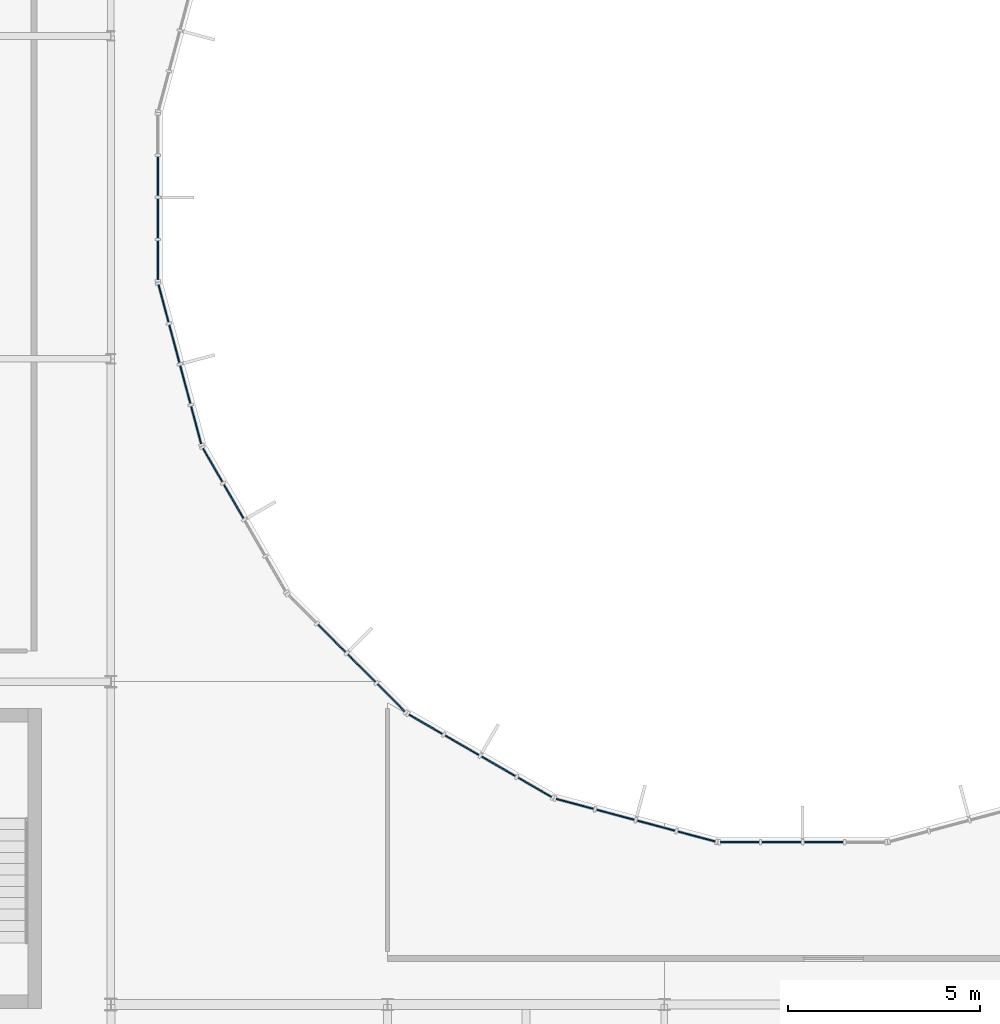
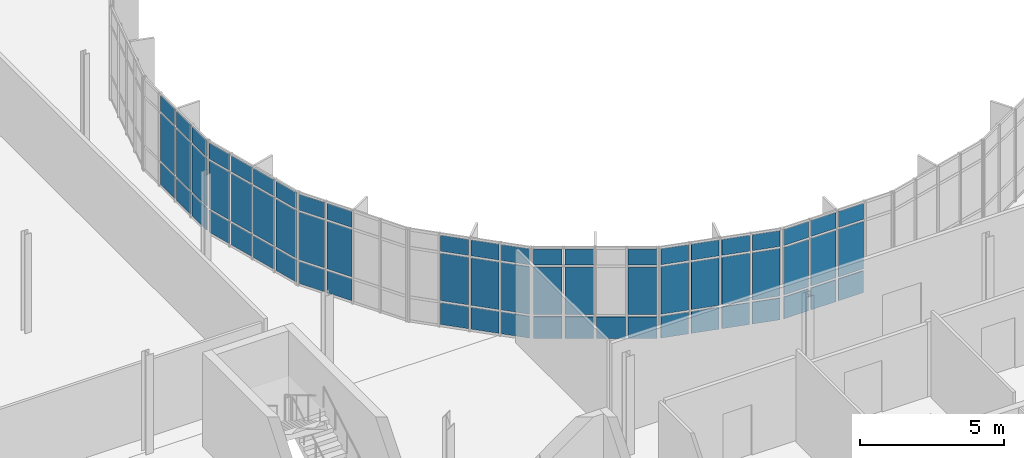
# One storey, part 31 of 61: 67 plates, 7 elements without a shape of their own.
"""IFC4 building model written with IfcOpenShell, lengths in metres."""

from ifc_helpers import new_model, si_unit, direction, frame, origin, origin_2d, place, context, subcontext, project, spatial, rectangle, extrude, material, layer, layer_set, type_object, element, aggregate, save


model = new_model("IFC4")

# Units and contexts
model_context = context("Model", 3, precision=1e-05, world=origin(), true_north=direction((0.0, 1.0)))
body_context = subcontext(model_context, "Body", "Model", "MODEL_VIEW")
ifc_project = project(units=[si_unit("LENGTHUNIT", "METRE"), si_unit("AREAUNIT", "SQUARE_METRE"), si_unit("VOLUMEUNIT", "CUBIC_METRE"), si_unit("PLANEANGLEUNIT", "RADIAN"), si_unit("MASSUNIT", "GRAM", prefix="KILO")], contexts=[model_context])

# Site, building, storey
site_placement = place(None, origin())
site = spatial("IfcSite", under=ifc_project, at=site_placement, CompositionType="ELEMENT")
building_placement = place(site_placement, origin())
building = spatial("IfcBuilding", under=site, at=building_placement, Name="Qelthora Terrace Specialist Clinic", CompositionType="ELEMENT")
storey_placement = place(building_placement, frame((0.0, 0.0, 13.199951171875)))
storey = spatial("IfcBuildingStorey", under=building, at=storey_placement, Name="L03", CompositionType="ELEMENT", Elevation=13.199951171875)

# Curtain wall, plates
ifc_material_1 = material(Name="Aluminium anodized bronze", Category="aluminium")
curtain_wall_type = type_object("IfcCurtainWallType", Name="CW-CRTE-UPP", PredefinedType="NOTDEFINED", material=ifc_material_1)
curtain_wall_1_placement = place(storey_placement, origin())
curtain_wall_1 = element("IfcCurtainWall", 1, at=curtain_wall_1_placement, inside=storey, type_object=curtain_wall_type, Name="Curtain wall CW-CE-L03-12", PredefinedType="NOTDEFINED")
ifc_material_2 = material(Name="Low-E triple-silver insulating glass", Category="glass")
ifc_layer = layer(ifc_material_2, 0.035888671875)
ifc_layer_set = layer_set([ifc_layer], Name="Low-E triple-silver insulating glass")
plate_type = type_object("IfcPlateType", Name="CWP-IGU-36", PredefinedType="CURTAIN_PANEL", material=ifc_layer_set)
plate_1_placement = place(storey_placement, frame((109.2236328125, 63.548095703125, 0.085205078125), z_axis=(0.0, 0.0, 1.0), x_axis=(0.0, -1.0, 0.0)))
plate_1 = element("IfcPlate", 2, at=plate_1_placement, type_object=plate_type, Name="CW-CE-L03-12 glazed panel 4", PredefinedType="CURTAIN_PANEL", context=body_context, shape_type="SweptSolid", body=[
    extrude(rectangle(XDim=0.996337890625, YDim=0.035888671875, at=origin_2d()), origin(), (0.0, 0.0, 1.0), 0.919921875),
])
plate_2_placement = place(storey_placement, frame((109.2236328125, 63.548095703125, 1.09521484375), z_axis=(0.0, 0.0, 1.0), x_axis=(0.0, -1.0, 0.0)))
plate_2 = element("IfcPlate", 3, at=plate_2_placement, type_object=plate_type, Name="CW-CE-L03-12 glazed panel 5", PredefinedType="CURTAIN_PANEL", context=body_context, shape_type="SweptSolid", body=[
    extrude(rectangle(XDim=0.996337890625, YDim=0.035888671875, at=origin_2d()), origin(), (0.0, 0.0, 1.0), 2.0048828125),
])
plate_3_placement = place(storey_placement, frame((109.2236328125, 63.548095703125, 3.190185546875), z_axis=(0.0, 0.0, 1.0), x_axis=(0.0, -1.0, 0.0)))
plate_3 = element("IfcPlate", 4, at=plate_3_placement, type_object=plate_type, Name="CW-CE-L03-12 glazed panel 6", PredefinedType="CURTAIN_PANEL", context=body_context, shape_type="SweptSolid", body=[
    extrude(rectangle(XDim=0.996337890625, YDim=0.035888671875, at=origin_2d()), origin(), (0.0, 0.0, 1.0), 0.669921875),
])
plate_4_placement = place(storey_placement, frame((109.2236328125, 62.451904296875, 0.085205078125), z_axis=(0.0, 0.0, 1.0), x_axis=(0.0, -1.0, 0.0)))
plate_4 = element("IfcPlate", 5, at=plate_4_placement, type_object=plate_type, Name="CW-CE-L03-12 glazed panel 7", PredefinedType="CURTAIN_PANEL", context=body_context, shape_type="SweptSolid", body=[
    extrude(rectangle(XDim=0.996337890625, YDim=0.035888671875, at=origin_2d()), origin(), (0.0, 0.0, 1.0), 0.919921875),
])
plate_5_placement = place(storey_placement, frame((109.2236328125, 62.451904296875, 1.09521484375), z_axis=(0.0, 0.0, 1.0), x_axis=(0.0, -1.0, 0.0)))
plate_5 = element("IfcPlate", 6, at=plate_5_placement, type_object=plate_type, Name="CW-CE-L03-12 glazed panel 8", PredefinedType="CURTAIN_PANEL", context=body_context, shape_type="SweptSolid", body=[
    extrude(rectangle(XDim=0.996337890625, YDim=0.035888671875, at=origin_2d()), origin(), (0.0, 0.0, 1.0), 2.0048828125),
])
plate_6_placement = place(storey_placement, frame((109.2236328125, 62.451904296875, 3.190185546875), z_axis=(0.0, 0.0, 1.0), x_axis=(0.0, -1.0, 0.0)))
plate_6 = element("IfcPlate", 7, at=plate_6_placement, type_object=plate_type, Name="CW-CE-L03-12 glazed panel 9", PredefinedType="CURTAIN_PANEL", context=body_context, shape_type="SweptSolid", body=[
    extrude(rectangle(XDim=0.996337890625, YDim=0.035888671875, at=origin_2d()), origin(), (0.0, 0.0, 1.0), 0.669921875),
])
plate_7_placement = place(storey_placement, frame((109.2236328125, 61.35546875, 0.085205078125), z_axis=(0.0, 0.0, 1.0), x_axis=(0.0, -1.0, 0.0)))
plate_7 = element("IfcPlate", 8, at=plate_7_placement, type_object=plate_type, Name="CW-CE-L03-12 glazed panel 10", PredefinedType="CURTAIN_PANEL", context=body_context, shape_type="SweptSolid", body=[
    extrude(rectangle(XDim=0.996337890625, YDim=0.035888671875, at=origin_2d()), origin(), (0.0, 0.0, 1.0), 0.919921875),
])
plate_8_placement = place(storey_placement, frame((109.2236328125, 61.35546875, 1.09521484375), z_axis=(0.0, 0.0, 1.0), x_axis=(0.0, -1.0, 0.0)))
plate_8 = element("IfcPlate", 9, at=plate_8_placement, type_object=plate_type, Name="CW-CE-L03-12 glazed panel 11", PredefinedType="CURTAIN_PANEL", context=body_context, shape_type="SweptSolid", body=[
    extrude(rectangle(XDim=0.996337890625, YDim=0.035888671875, at=origin_2d()), origin(), (0.0, 0.0, 1.0), 2.0048828125),
])
plate_9_placement = place(storey_placement, frame((109.2236328125, 61.35546875, 3.190185546875), z_axis=(0.0, 0.0, 1.0), x_axis=(0.0, -1.0, 0.0)))
plate_9 = element("IfcPlate", 10, at=plate_9_placement, type_object=plate_type, Name="CW-CE-L03-12 glazed panel 12", PredefinedType="CURTAIN_PANEL", context=body_context, shape_type="SweptSolid", body=[
    extrude(rectangle(XDim=0.996337890625, YDim=0.035888671875, at=origin_2d()), origin(), (0.0, 0.0, 1.0), 0.669921875),
])
aggregate(curtain_wall_1, [plate_1, plate_2, plate_3, plate_4, plate_5, plate_6, plate_7, plate_8, plate_9])

curtain_wall_2_placement = place(storey_placement, origin())
curtain_wall_2 = element("IfcCurtainWall", 11, at=curtain_wall_2_placement, inside=storey, type_object=curtain_wall_type, Name="Curtain wall CW-CE-L03-13", PredefinedType="NOTDEFINED")
plate_10_placement = place(storey_placement, frame((109.36962890625, 60.24658203125, 0.085205078125), z_axis=(0.0, 0.0, 1.0), x_axis=(0.258819045103, -0.965925826289, 0.0)))
plate_10 = element("IfcPlate", 12, at=plate_10_placement, type_object=plate_type, Name="CW-CE-L03-13 glazed panel 1", PredefinedType="CURTAIN_PANEL", context=body_context, shape_type="SweptSolid", body=[
    extrude(rectangle(XDim=0.996337890625, YDim=0.035888671875, at=origin_2d()), origin(), (0.0, 0.0, 1.0), 0.919921875),
])
plate_11_placement = place(storey_placement, frame((109.36962890625, 60.24658203125, 1.09521484375), z_axis=(0.0, 0.0, 1.0), x_axis=(0.258819045103, -0.965925826289, 0.0)))
plate_11 = element("IfcPlate", 13, at=plate_11_placement, type_object=plate_type, Name="CW-CE-L03-13 glazed panel 2", PredefinedType="CURTAIN_PANEL", context=body_context, shape_type="SweptSolid", body=[
    extrude(rectangle(XDim=0.996337890625, YDim=0.035888671875, at=origin_2d()), origin(), (0.0, 0.0, 1.0), 2.0048828125),
])
plate_12_placement = place(storey_placement, frame((109.36962890625, 60.24658203125, 3.190185546875), z_axis=(0.0, 0.0, 1.0), x_axis=(0.258819045103, -0.965925826289, 0.0)))
plate_12 = element("IfcPlate", 14, at=plate_12_placement, type_object=plate_type, Name="CW-CE-L03-13 glazed panel 3", PredefinedType="CURTAIN_PANEL", context=body_context, shape_type="SweptSolid", body=[
    extrude(rectangle(XDim=0.996337890625, YDim=0.035888671875, at=origin_2d()), origin(), (0.0, 0.0, 1.0), 0.669921875),
])
plate_13_placement = place(storey_placement, frame((109.653564453125, 59.1875, 0.085205078125), z_axis=(0.0, 0.0, 1.0), x_axis=(0.258819045103, -0.965925826289, 0.0)))
plate_13 = element("IfcPlate", 15, at=plate_13_placement, type_object=plate_type, Name="CW-CE-L03-13 glazed panel 4", PredefinedType="CURTAIN_PANEL", context=body_context, shape_type="SweptSolid", body=[
    extrude(rectangle(XDim=0.996337890625, YDim=0.035888671875, at=origin_2d()), origin(), (0.0, 0.0, 1.0), 0.919921875),
])
plate_14_placement = place(storey_placement, frame((109.653564453125, 59.1875, 1.09521484375), z_axis=(0.0, 0.0, 1.0), x_axis=(0.258819045103, -0.965925826289, 0.0)))
plate_14 = element("IfcPlate", 16, at=plate_14_placement, type_object=plate_type, Name="CW-CE-L03-13 glazed panel 5", PredefinedType="CURTAIN_PANEL", context=body_context, shape_type="SweptSolid", body=[
    extrude(rectangle(XDim=0.996337890625, YDim=0.035888671875, at=origin_2d()), origin(), (0.0, 0.0, 1.0), 2.0048828125),
])
plate_15_placement = place(storey_placement, frame((109.653564453125, 59.1875, 3.190185546875), z_axis=(0.0, 0.0, 1.0), x_axis=(0.258819045103, -0.965925826289, 0.0)))
plate_15 = element("IfcPlate", 17, at=plate_15_placement, type_object=plate_type, Name="CW-CE-L03-13 glazed panel 6", PredefinedType="CURTAIN_PANEL", context=body_context, shape_type="SweptSolid", body=[
    extrude(rectangle(XDim=0.996337890625, YDim=0.035888671875, at=origin_2d()), origin(), (0.0, 0.0, 1.0), 0.669921875),
])
plate_16_placement = place(storey_placement, frame((109.937255859375, 58.12841796875, 0.085205078125), z_axis=(0.0, 0.0, 1.0), x_axis=(0.258819045103, -0.965925826289, 0.0)))
plate_16 = element("IfcPlate", 18, at=plate_16_placement, type_object=plate_type, Name="CW-CE-L03-13 glazed panel 7", PredefinedType="CURTAIN_PANEL", context=body_context, shape_type="SweptSolid", body=[
    extrude(rectangle(XDim=0.996337890625, YDim=0.035888671875, at=origin_2d()), origin(), (0.0, 0.0, 1.0), 0.919921875),
])
plate_17_placement = place(storey_placement, frame((109.937255859375, 58.12841796875, 1.09521484375), z_axis=(0.0, 0.0, 1.0), x_axis=(0.258819045103, -0.965925826289, 0.0)))
plate_17 = element("IfcPlate", 19, at=plate_17_placement, type_object=plate_type, Name="CW-CE-L03-13 glazed panel 8", PredefinedType="CURTAIN_PANEL", context=body_context, shape_type="SweptSolid", body=[
    extrude(rectangle(XDim=0.996337890625, YDim=0.035888671875, at=origin_2d()), origin(), (0.0, 0.0, 1.0), 2.0048828125),
])
plate_18_placement = place(storey_placement, frame((109.937255859375, 58.12841796875, 3.190185546875), z_axis=(0.0, 0.0, 1.0), x_axis=(0.258819045103, -0.965925826289, 0.0)))
plate_18 = element("IfcPlate", 20, at=plate_18_placement, type_object=plate_type, Name="CW-CE-L03-13 glazed panel 9", PredefinedType="CURTAIN_PANEL", context=body_context, shape_type="SweptSolid", body=[
    extrude(rectangle(XDim=0.996337890625, YDim=0.035888671875, at=origin_2d()), origin(), (0.0, 0.0, 1.0), 0.669921875),
])
plate_19_placement = place(storey_placement, frame((110.220947265625, 57.0693359375, 0.085205078125), z_axis=(0.0, 0.0, 1.0), x_axis=(0.258819045103, -0.965925826289, 0.0)))
plate_19 = element("IfcPlate", 21, at=plate_19_placement, type_object=plate_type, Name="CW-CE-L03-13 glazed panel 10", PredefinedType="CURTAIN_PANEL", context=body_context, shape_type="SweptSolid", body=[
    extrude(rectangle(XDim=0.996337890625, YDim=0.035888671875, at=origin_2d()), origin(), (0.0, 0.0, 1.0), 0.919921875),
])
plate_20_placement = place(storey_placement, frame((110.220947265625, 57.0693359375, 1.09521484375), z_axis=(0.0, 0.0, 1.0), x_axis=(0.258819045103, -0.965925826289, 0.0)))
plate_20 = element("IfcPlate", 22, at=plate_20_placement, type_object=plate_type, Name="CW-CE-L03-13 glazed panel 11", PredefinedType="CURTAIN_PANEL", context=body_context, shape_type="SweptSolid", body=[
    extrude(rectangle(XDim=0.996337890625, YDim=0.035888671875, at=origin_2d()), origin(), (0.0, 0.0, 1.0), 2.0048828125),
])
plate_21_placement = place(storey_placement, frame((110.220947265625, 57.0693359375, 3.190185546875), z_axis=(0.0, 0.0, 1.0), x_axis=(0.258819045103, -0.965925826289, 0.0)))
plate_21 = element("IfcPlate", 23, at=plate_21_placement, type_object=plate_type, Name="CW-CE-L03-13 glazed panel 12", PredefinedType="CURTAIN_PANEL", context=body_context, shape_type="SweptSolid", body=[
    extrude(rectangle(XDim=0.996337890625, YDim=0.035888671875, at=origin_2d()), origin(), (0.0, 0.0, 1.0), 0.669921875),
])
aggregate(curtain_wall_2, [plate_10, plate_11, plate_12, plate_13, plate_14, plate_15, plate_16, plate_17, plate_18, plate_19, plate_20, plate_21])

curtain_wall_3_placement = place(storey_placement, origin())
curtain_wall_3 = element("IfcCurtainWall", 24, at=curtain_wall_3_placement, inside=storey, type_object=curtain_wall_type, Name="Curtain wall CW-CE-L03-14", PredefinedType="NOTDEFINED")
plate_22_placement = place(storey_placement, frame((110.64892578125, 56.0361328125, 0.085205078125), z_axis=(0.0, 0.0, 1.0), x_axis=(0.5, -0.866025403784, 0.0)))
plate_22 = element("IfcPlate", 25, at=plate_22_placement, type_object=plate_type, Name="CW-CE-L03-14 glazed panel 1", PredefinedType="CURTAIN_PANEL", context=body_context, shape_type="SweptSolid", body=[
    extrude(rectangle(XDim=0.996337890625, YDim=0.035888671875, at=origin_2d()), origin(), (0.0, 0.0, 1.0), 0.919921875),
])
plate_23_placement = place(storey_placement, frame((110.64892578125, 56.0361328125, 1.09521484375), z_axis=(0.0, 0.0, 1.0), x_axis=(0.5, -0.866025403784, 0.0)))
plate_23 = element("IfcPlate", 26, at=plate_23_placement, type_object=plate_type, Name="CW-CE-L03-14 glazed panel 2", PredefinedType="CURTAIN_PANEL", context=body_context, shape_type="SweptSolid", body=[
    extrude(rectangle(XDim=0.996337890625, YDim=0.035888671875, at=origin_2d()), origin(), (0.0, 0.0, 1.0), 2.0048828125),
])
plate_24_placement = place(storey_placement, frame((110.64892578125, 56.0361328125, 3.190185546875), z_axis=(0.0, 0.0, 1.0), x_axis=(0.5, -0.866025403784, 0.0)))
plate_24 = element("IfcPlate", 27, at=plate_24_placement, type_object=plate_type, Name="CW-CE-L03-14 glazed panel 3", PredefinedType="CURTAIN_PANEL", context=body_context, shape_type="SweptSolid", body=[
    extrude(rectangle(XDim=0.996337890625, YDim=0.035888671875, at=origin_2d()), origin(), (0.0, 0.0, 1.0), 0.669921875),
])
plate_25_placement = place(storey_placement, frame((111.197265625, 55.086669921875, 0.085205078125), z_axis=(0.0, 0.0, 1.0), x_axis=(0.5, -0.866025403784, 0.0)))
plate_25 = element("IfcPlate", 28, at=plate_25_placement, type_object=plate_type, Name="CW-CE-L03-14 glazed panel 4", PredefinedType="CURTAIN_PANEL", context=body_context, shape_type="SweptSolid", body=[
    extrude(rectangle(XDim=0.996337890625, YDim=0.035888671875, at=origin_2d()), origin(), (0.0, 0.0, 1.0), 0.919921875),
])
plate_26_placement = place(storey_placement, frame((111.197265625, 55.086669921875, 1.09521484375), z_axis=(0.0, 0.0, 1.0), x_axis=(0.5, -0.866025403784, 0.0)))
plate_26 = element("IfcPlate", 29, at=plate_26_placement, type_object=plate_type, Name="CW-CE-L03-14 glazed panel 5", PredefinedType="CURTAIN_PANEL", context=body_context, shape_type="SweptSolid", body=[
    extrude(rectangle(XDim=0.996337890625, YDim=0.035888671875, at=origin_2d()), origin(), (0.0, 0.0, 1.0), 2.0048828125),
])
plate_27_placement = place(storey_placement, frame((111.197265625, 55.086669921875, 3.190185546875), z_axis=(0.0, 0.0, 1.0), x_axis=(0.5, -0.866025403784, 0.0)))
plate_27 = element("IfcPlate", 30, at=plate_27_placement, type_object=plate_type, Name="CW-CE-L03-14 glazed panel 6", PredefinedType="CURTAIN_PANEL", context=body_context, shape_type="SweptSolid", body=[
    extrude(rectangle(XDim=0.996337890625, YDim=0.035888671875, at=origin_2d()), origin(), (0.0, 0.0, 1.0), 0.669921875),
])
aggregate(curtain_wall_3, [plate_22, plate_23, plate_24, plate_25, plate_26, plate_27])

curtain_wall_4_placement = place(storey_placement, origin())
curtain_wall_4 = element("IfcCurtainWall", 31, at=curtain_wall_4_placement, inside=storey, type_object=curtain_wall_type, Name="Curtain wall CW-CE-L03-15", PredefinedType="NOTDEFINED")
plate_28_placement = place(storey_placement, frame((113.749755859375, 51.525146484375, 0.085205078125), z_axis=(0.0, 0.0, 1.0), x_axis=(0.707106781187, -0.707106781187, 0.0)))
plate_28 = element("IfcPlate", 32, at=plate_28_placement, type_object=plate_type, Name="CW-CE-L03-15 glazed panel 4", PredefinedType="CURTAIN_PANEL", context=body_context, shape_type="SweptSolid", body=[
    extrude(rectangle(XDim=0.996337890625, YDim=0.035888671875, at=origin_2d()), origin(), (0.0, 0.0, 1.0), 0.919921875),
])
plate_29_placement = place(storey_placement, frame((113.749755859375, 51.525146484375, 1.09521484375), z_axis=(0.0, 0.0, 1.0), x_axis=(0.707106781187, -0.707106781187, 0.0)))
plate_29 = element("IfcPlate", 33, at=plate_29_placement, type_object=plate_type, Name="CW-CE-L03-15 glazed panel 5", PredefinedType="CURTAIN_PANEL", context=body_context, shape_type="SweptSolid", body=[
    extrude(rectangle(XDim=0.996337890625, YDim=0.035888671875, at=origin_2d()), origin(), (0.0, 0.0, 1.0), 2.0048828125),
])
plate_30_placement = place(storey_placement, frame((113.749755859375, 51.525146484375, 3.190185546875), z_axis=(0.0, 0.0, 1.0), x_axis=(0.707106781187, -0.707106781187, 0.0)))
plate_30 = element("IfcPlate", 34, at=plate_30_placement, type_object=plate_type, Name="CW-CE-L03-15 glazed panel 6", PredefinedType="CURTAIN_PANEL", context=body_context, shape_type="SweptSolid", body=[
    extrude(rectangle(XDim=0.996337890625, YDim=0.035888671875, at=origin_2d()), origin(), (0.0, 0.0, 1.0), 0.669921875),
])
plate_31_placement = place(storey_placement, frame((114.525146484375, 50.749755859375, 0.085205078125), z_axis=(0.0, 0.0, 1.0), x_axis=(0.707106781187, -0.707106781187, 0.0)))
plate_31 = element("IfcPlate", 35, at=plate_31_placement, type_object=plate_type, Name="CW-CE-L03-15 glazed panel 7", PredefinedType="CURTAIN_PANEL", context=body_context, shape_type="SweptSolid", body=[
    extrude(rectangle(XDim=0.996337890625, YDim=0.035888671875, at=origin_2d()), origin(), (0.0, 0.0, 1.0), 0.919921875),
])
plate_32_placement = place(storey_placement, frame((114.525146484375, 50.749755859375, 1.09521484375), z_axis=(0.0, 0.0, 1.0), x_axis=(0.707106781187, -0.707106781187, 0.0)))
plate_32 = element("IfcPlate", 36, at=plate_32_placement, type_object=plate_type, Name="CW-CE-L03-15 glazed panel 8", PredefinedType="CURTAIN_PANEL", context=body_context, shape_type="SweptSolid", body=[
    extrude(rectangle(XDim=0.996337890625, YDim=0.035888671875, at=origin_2d()), origin(), (0.0, 0.0, 1.0), 2.0048828125),
])
plate_33_placement = place(storey_placement, frame((114.525146484375, 50.749755859375, 3.190185546875), z_axis=(0.0, 0.0, 1.0), x_axis=(0.707106781187, -0.707106781187, 0.0)))
plate_33 = element("IfcPlate", 37, at=plate_33_placement, type_object=plate_type, Name="CW-CE-L03-15 glazed panel 9", PredefinedType="CURTAIN_PANEL", context=body_context, shape_type="SweptSolid", body=[
    extrude(rectangle(XDim=0.996337890625, YDim=0.035888671875, at=origin_2d()), origin(), (0.0, 0.0, 1.0), 0.669921875),
])
plate_34_placement = place(storey_placement, frame((115.30029296875, 49.974365234375, 0.085205078125), z_axis=(0.0, 0.0, 1.0), x_axis=(0.707106781187, -0.707106781187, 0.0)))
plate_34 = element("IfcPlate", 38, at=plate_34_placement, type_object=plate_type, Name="CW-CE-L03-15 glazed panel 10", PredefinedType="CURTAIN_PANEL", context=body_context, shape_type="SweptSolid", body=[
    extrude(rectangle(XDim=0.996337890625, YDim=0.035888671875, at=origin_2d()), origin(), (0.0, 0.0, 1.0), 0.919921875),
])
plate_35_placement = place(storey_placement, frame((115.30029296875, 49.974365234375, 1.09521484375), z_axis=(0.0, 0.0, 1.0), x_axis=(0.707106781187, -0.707106781187, 0.0)))
plate_35 = element("IfcPlate", 39, at=plate_35_placement, type_object=plate_type, Name="CW-CE-L03-15 glazed panel 11", PredefinedType="CURTAIN_PANEL", context=body_context, shape_type="SweptSolid", body=[
    extrude(rectangle(XDim=0.996337890625, YDim=0.035888671875, at=origin_2d()), origin(), (0.0, 0.0, 1.0), 2.0048828125),
])
plate_36_placement = place(storey_placement, frame((115.30029296875, 49.974365234375, 3.190185546875), z_axis=(0.0, 0.0, 1.0), x_axis=(0.707106781187, -0.707106781187, 0.0)))
plate_36 = element("IfcPlate", 40, at=plate_36_placement, type_object=plate_type, Name="CW-CE-L03-15 glazed panel 12", PredefinedType="CURTAIN_PANEL", context=body_context, shape_type="SweptSolid", body=[
    extrude(rectangle(XDim=0.996337890625, YDim=0.035888671875, at=origin_2d()), origin(), (0.0, 0.0, 1.0), 0.669921875),
])
aggregate(curtain_wall_4, [plate_28, plate_29, plate_30, plate_31, plate_32, plate_33, plate_34, plate_35, plate_36])

curtain_wall_5_placement = place(storey_placement, origin())
curtain_wall_5 = element("IfcCurtainWall", 41, at=curtain_wall_5_placement, inside=storey, type_object=curtain_wall_type, Name="Curtain wall CW-CE-L03-16", PredefinedType="NOTDEFINED")
plate_37_placement = place(storey_placement, frame((116.1875, 49.293701171875, 0.085205078125), z_axis=(0.0, 0.0, 1.0), x_axis=(0.866025403784, -0.5, 0.0)))
plate_37 = element("IfcPlate", 42, at=plate_37_placement, type_object=plate_type, Name="CW-CE-L03-16 glazed panel 1", PredefinedType="CURTAIN_PANEL", context=body_context, shape_type="SweptSolid", body=[
    extrude(rectangle(XDim=0.996337890625, YDim=0.035888671875, at=origin_2d()), origin(), (0.0, 0.0, 1.0), 0.919921875),
])
plate_38_placement = place(storey_placement, frame((116.1875, 49.293701171875, 1.09521484375), z_axis=(0.0, 0.0, 1.0), x_axis=(0.866025403784, -0.5, 0.0)))
plate_38 = element("IfcPlate", 43, at=plate_38_placement, type_object=plate_type, Name="CW-CE-L03-16 glazed panel 2", PredefinedType="CURTAIN_PANEL", context=body_context, shape_type="SweptSolid", body=[
    extrude(rectangle(XDim=0.996337890625, YDim=0.035888671875, at=origin_2d()), origin(), (0.0, 0.0, 1.0), 2.0048828125),
])
plate_39_placement = place(storey_placement, frame((116.1875, 49.293701171875, 3.190185546875), z_axis=(0.0, 0.0, 1.0), x_axis=(0.866025403784, -0.5, 0.0)))
plate_39 = element("IfcPlate", 44, at=plate_39_placement, type_object=plate_type, Name="CW-CE-L03-16 glazed panel 3", PredefinedType="CURTAIN_PANEL", context=body_context, shape_type="SweptSolid", body=[
    extrude(rectangle(XDim=0.996337890625, YDim=0.035888671875, at=origin_2d()), origin(), (0.0, 0.0, 1.0), 0.669921875),
])
plate_40_placement = place(storey_placement, frame((117.13720703125, 48.745361328125, 0.085205078125), z_axis=(0.0, 0.0, 1.0), x_axis=(0.866025403784, -0.5, 0.0)))
plate_40 = element("IfcPlate", 45, at=plate_40_placement, type_object=plate_type, Name="CW-CE-L03-16 glazed panel 4", PredefinedType="CURTAIN_PANEL", context=body_context, shape_type="SweptSolid", body=[
    extrude(rectangle(XDim=0.996337890625, YDim=0.035888671875, at=origin_2d()), origin(), (0.0, 0.0, 1.0), 0.919921875),
])
plate_41_placement = place(storey_placement, frame((117.13720703125, 48.745361328125, 1.09521484375), z_axis=(0.0, 0.0, 1.0), x_axis=(0.866025403784, -0.5, 0.0)))
plate_41 = element("IfcPlate", 46, at=plate_41_placement, type_object=plate_type, Name="CW-CE-L03-16 glazed panel 5", PredefinedType="CURTAIN_PANEL", context=body_context, shape_type="SweptSolid", body=[
    extrude(rectangle(XDim=0.996337890625, YDim=0.035888671875, at=origin_2d()), origin(), (0.0, 0.0, 1.0), 2.0048828125),
])
plate_42_placement = place(storey_placement, frame((117.13720703125, 48.745361328125, 3.190185546875), z_axis=(0.0, 0.0, 1.0), x_axis=(0.866025403784, -0.5, 0.0)))
plate_42 = element("IfcPlate", 47, at=plate_42_placement, type_object=plate_type, Name="CW-CE-L03-16 glazed panel 6", PredefinedType="CURTAIN_PANEL", context=body_context, shape_type="SweptSolid", body=[
    extrude(rectangle(XDim=0.996337890625, YDim=0.035888671875, at=origin_2d()), origin(), (0.0, 0.0, 1.0), 0.669921875),
])
plate_43_placement = place(storey_placement, frame((118.086669921875, 48.197265625, 0.085205078125), z_axis=(0.0, 0.0, 1.0), x_axis=(0.866025403784, -0.5, 0.0)))
plate_43 = element("IfcPlate", 48, at=plate_43_placement, type_object=plate_type, Name="CW-CE-L03-16 glazed panel 7", PredefinedType="CURTAIN_PANEL", context=body_context, shape_type="SweptSolid", body=[
    extrude(rectangle(XDim=0.996337890625, YDim=0.035888671875, at=origin_2d()), origin(), (0.0, 0.0, 1.0), 0.919921875),
])
plate_44_placement = place(storey_placement, frame((119.0361328125, 47.64892578125, 0.085205078125), z_axis=(0.0, 0.0, 1.0), x_axis=(0.866025403784, -0.5, 0.0)))
plate_44 = element("IfcPlate", 49, at=plate_44_placement, type_object=plate_type, Name="CW-CE-L03-16 glazed panel 10", PredefinedType="CURTAIN_PANEL", context=body_context, shape_type="SweptSolid", body=[
    extrude(rectangle(XDim=0.996337890625, YDim=0.035888671875, at=origin_2d()), origin(), (0.0, 0.0, 1.0), 0.919921875),
])
plate_45_placement = place(storey_placement, frame((119.0361328125, 47.64892578125, 1.09521484375), z_axis=(0.0, 0.0, 1.0), x_axis=(0.866025403784, -0.5, 0.0)))
plate_45 = element("IfcPlate", 50, at=plate_45_placement, type_object=plate_type, Name="CW-CE-L03-16 glazed panel 11", PredefinedType="CURTAIN_PANEL", context=body_context, shape_type="SweptSolid", body=[
    extrude(rectangle(XDim=0.996337890625, YDim=0.035888671875, at=origin_2d()), origin(), (0.0, 0.0, 1.0), 2.0048828125),
])
plate_46_placement = place(storey_placement, frame((119.0361328125, 47.64892578125, 3.190185546875), z_axis=(0.0, 0.0, 1.0), x_axis=(0.866025403784, -0.5, 0.0)))
plate_46 = element("IfcPlate", 51, at=plate_46_placement, type_object=plate_type, Name="CW-CE-L03-16 glazed panel 12", PredefinedType="CURTAIN_PANEL", context=body_context, shape_type="SweptSolid", body=[
    extrude(rectangle(XDim=0.996337890625, YDim=0.035888671875, at=origin_2d()), origin(), (0.0, 0.0, 1.0), 0.669921875),
])
aggregate(curtain_wall_5, [plate_37, plate_38, plate_39, plate_40, plate_41, plate_42, plate_43, plate_44, plate_45, plate_46])

curtain_wall_6_placement = place(storey_placement, origin())
curtain_wall_6 = element("IfcCurtainWall", 52, at=curtain_wall_6_placement, inside=storey, type_object=curtain_wall_type, Name="Curtain wall CW-CE-L03-17", PredefinedType="NOTDEFINED")
plate_47_placement = place(storey_placement, frame((120.0693359375, 47.220947265625, 0.085205078125), z_axis=(0.0, 0.0, 1.0), x_axis=(0.965925826289, -0.258819045103, 0.0)))
plate_47 = element("IfcPlate", 53, at=plate_47_placement, type_object=plate_type, Name="CW-CE-L03-17 glazed panel 1", PredefinedType="CURTAIN_PANEL", context=body_context, shape_type="SweptSolid", body=[
    extrude(rectangle(XDim=0.996337890625, YDim=0.035888671875, at=origin_2d()), origin(), (0.0, 0.0, 1.0), 0.919921875),
])
plate_48_placement = place(storey_placement, frame((120.0693359375, 47.220947265625, 1.09521484375), z_axis=(0.0, 0.0, 1.0), x_axis=(0.965925826289, -0.258819045103, 0.0)))
plate_48 = element("IfcPlate", 54, at=plate_48_placement, type_object=plate_type, Name="CW-CE-L03-17 glazed panel 2", PredefinedType="CURTAIN_PANEL", context=body_context, shape_type="SweptSolid", body=[
    extrude(rectangle(XDim=0.996337890625, YDim=0.035888671875, at=origin_2d()), origin(), (0.0, 0.0, 1.0), 2.0048828125),
])
plate_49_placement = place(storey_placement, frame((120.0693359375, 47.220947265625, 3.190185546875), z_axis=(0.0, 0.0, 1.0), x_axis=(0.965925826289, -0.258819045103, 0.0)))
plate_49 = element("IfcPlate", 55, at=plate_49_placement, type_object=plate_type, Name="CW-CE-L03-17 glazed panel 3", PredefinedType="CURTAIN_PANEL", context=body_context, shape_type="SweptSolid", body=[
    extrude(rectangle(XDim=0.996337890625, YDim=0.035888671875, at=origin_2d()), origin(), (0.0, 0.0, 1.0), 0.669921875),
])
plate_50_placement = place(storey_placement, frame((121.12841796875, 46.937255859375, 0.085205078125), z_axis=(0.0, 0.0, 1.0), x_axis=(0.965925826289, -0.258819045103, 0.0)))
plate_50 = element("IfcPlate", 56, at=plate_50_placement, type_object=plate_type, Name="CW-CE-L03-17 glazed panel 4", PredefinedType="CURTAIN_PANEL", context=body_context, shape_type="SweptSolid", body=[
    extrude(rectangle(XDim=0.996337890625, YDim=0.035888671875, at=origin_2d()), origin(), (0.0, 0.0, 1.0), 0.919921875),
])
plate_51_placement = place(storey_placement, frame((121.12841796875, 46.937255859375, 1.09521484375), z_axis=(0.0, 0.0, 1.0), x_axis=(0.965925826289, -0.258819045103, 0.0)))
plate_51 = element("IfcPlate", 57, at=plate_51_placement, type_object=plate_type, Name="CW-CE-L03-17 glazed panel 5", PredefinedType="CURTAIN_PANEL", context=body_context, shape_type="SweptSolid", body=[
    extrude(rectangle(XDim=0.996337890625, YDim=0.035888671875, at=origin_2d()), origin(), (0.0, 0.0, 1.0), 2.0048828125),
])
plate_52_placement = place(storey_placement, frame((121.12841796875, 46.937255859375, 3.190185546875), z_axis=(0.0, 0.0, 1.0), x_axis=(0.965925826289, -0.258819045103, 0.0)))
plate_52 = element("IfcPlate", 58, at=plate_52_placement, type_object=plate_type, Name="CW-CE-L03-17 glazed panel 6", PredefinedType="CURTAIN_PANEL", context=body_context, shape_type="SweptSolid", body=[
    extrude(rectangle(XDim=0.996337890625, YDim=0.035888671875, at=origin_2d()), origin(), (0.0, 0.0, 1.0), 0.669921875),
])
plate_53_placement = place(storey_placement, frame((122.1875, 46.653564453125, 0.085205078125), z_axis=(0.0, 0.0, 1.0), x_axis=(0.965925826289, -0.258819045103, 0.0)))
plate_53 = element("IfcPlate", 59, at=plate_53_placement, type_object=plate_type, Name="CW-CE-L03-17 glazed panel 7", PredefinedType="CURTAIN_PANEL", context=body_context, shape_type="SweptSolid", body=[
    extrude(rectangle(XDim=0.996337890625, YDim=0.035888671875, at=origin_2d()), origin(), (0.0, 0.0, 1.0), 0.919921875),
])
plate_54_placement = place(storey_placement, frame((122.1875, 46.653564453125, 1.09521484375), z_axis=(0.0, 0.0, 1.0), x_axis=(0.965925826289, -0.258819045103, 0.0)))
plate_54 = element("IfcPlate", 60, at=plate_54_placement, type_object=plate_type, Name="CW-CE-L03-17 glazed panel 8", PredefinedType="CURTAIN_PANEL", context=body_context, shape_type="SweptSolid", body=[
    extrude(rectangle(XDim=0.996337890625, YDim=0.035888671875, at=origin_2d()), origin(), (0.0, 0.0, 1.0), 2.0048828125),
])
plate_55_placement = place(storey_placement, frame((122.1875, 46.653564453125, 3.190185546875), z_axis=(0.0, 0.0, 1.0), x_axis=(0.965925826289, -0.258819045103, 0.0)))
plate_55 = element("IfcPlate", 61, at=plate_55_placement, type_object=plate_type, Name="CW-CE-L03-17 glazed panel 9", PredefinedType="CURTAIN_PANEL", context=body_context, shape_type="SweptSolid", body=[
    extrude(rectangle(XDim=0.996337890625, YDim=0.035888671875, at=origin_2d()), origin(), (0.0, 0.0, 1.0), 0.669921875),
])
plate_56_placement = place(storey_placement, frame((123.24658203125, 46.36962890625, 0.085205078125), z_axis=(0.0, 0.0, 1.0), x_axis=(0.965925826289, -0.258819045103, 0.0)))
plate_56 = element("IfcPlate", 62, at=plate_56_placement, type_object=plate_type, Name="CW-CE-L03-17 glazed panel 10", PredefinedType="CURTAIN_PANEL", context=body_context, shape_type="SweptSolid", body=[
    extrude(rectangle(XDim=0.996337890625, YDim=0.035888671875, at=origin_2d()), origin(), (0.0, 0.0, 1.0), 0.919921875),
])
plate_57_placement = place(storey_placement, frame((123.24658203125, 46.36962890625, 1.09521484375), z_axis=(0.0, 0.0, 1.0), x_axis=(0.965925826289, -0.258819045103, 0.0)))
plate_57 = element("IfcPlate", 63, at=plate_57_placement, type_object=plate_type, Name="CW-CE-L03-17 glazed panel 11", PredefinedType="CURTAIN_PANEL", context=body_context, shape_type="SweptSolid", body=[
    extrude(rectangle(XDim=0.996337890625, YDim=0.035888671875, at=origin_2d()), origin(), (0.0, 0.0, 1.0), 2.0048828125),
])
plate_58_placement = place(storey_placement, frame((123.24658203125, 46.36962890625, 3.190185546875), z_axis=(0.0, 0.0, 1.0), x_axis=(0.965925826289, -0.258819045103, 0.0)))
plate_58 = element("IfcPlate", 64, at=plate_58_placement, type_object=plate_type, Name="CW-CE-L03-17 glazed panel 12", PredefinedType="CURTAIN_PANEL", context=body_context, shape_type="SweptSolid", body=[
    extrude(rectangle(XDim=0.996337890625, YDim=0.035888671875, at=origin_2d()), origin(), (0.0, 0.0, 1.0), 0.669921875),
])
aggregate(curtain_wall_6, [plate_47, plate_48, plate_49, plate_50, plate_51, plate_52, plate_53, plate_54, plate_55, plate_56, plate_57, plate_58])

curtain_wall_7_placement = place(storey_placement, origin())
curtain_wall_7 = element("IfcCurtainWall", 65, at=curtain_wall_7_placement, inside=storey, type_object=curtain_wall_type, Name="Curtain wall CW-CE-L03-18", PredefinedType="NOTDEFINED")
plate_59_placement = place(storey_placement, frame((124.35546875, 46.2236328125, 0.085205078125), z_axis=(0.0, 0.0, 1.0), x_axis=(1.0, 0.0, 0.0)))
plate_59 = element("IfcPlate", 66, at=plate_59_placement, type_object=plate_type, Name="CW-CE-L03-18 glazed panel 1", PredefinedType="CURTAIN_PANEL", context=body_context, shape_type="SweptSolid", body=[
    extrude(rectangle(XDim=0.996337890625, YDim=0.035888671875, at=origin_2d()), origin(), (0.0, 0.0, 1.0), 0.919921875),
])
plate_60_placement = place(storey_placement, frame((124.35546875, 46.2236328125, 1.09521484375), z_axis=(0.0, 0.0, 1.0), x_axis=(1.0, 0.0, 0.0)))
plate_60 = element("IfcPlate", 67, at=plate_60_placement, type_object=plate_type, Name="CW-CE-L03-18 glazed panel 2", PredefinedType="CURTAIN_PANEL", context=body_context, shape_type="SweptSolid", body=[
    extrude(rectangle(XDim=0.996337890625, YDim=0.035888671875, at=origin_2d()), origin(), (0.0, 0.0, 1.0), 2.0048828125),
])
plate_61_placement = place(storey_placement, frame((124.35546875, 46.2236328125, 3.190185546875), z_axis=(0.0, 0.0, 1.0), x_axis=(1.0, 0.0, 0.0)))
plate_61 = element("IfcPlate", 68, at=plate_61_placement, type_object=plate_type, Name="CW-CE-L03-18 glazed panel 3", PredefinedType="CURTAIN_PANEL", context=body_context, shape_type="SweptSolid", body=[
    extrude(rectangle(XDim=0.996337890625, YDim=0.035888671875, at=origin_2d()), origin(), (0.0, 0.0, 1.0), 0.669921875),
])
plate_62_placement = place(storey_placement, frame((125.451904296875, 46.2236328125, 0.085205078125), z_axis=(0.0, 0.0, 1.0), x_axis=(1.0, 0.0, 0.0)))
plate_62 = element("IfcPlate", 69, at=plate_62_placement, type_object=plate_type, Name="CW-CE-L03-18 glazed panel 4", PredefinedType="CURTAIN_PANEL", context=body_context, shape_type="SweptSolid", body=[
    extrude(rectangle(XDim=0.996337890625, YDim=0.035888671875, at=origin_2d()), origin(), (0.0, 0.0, 1.0), 0.919921875),
])
plate_63_placement = place(storey_placement, frame((125.451904296875, 46.2236328125, 1.09521484375), z_axis=(0.0, 0.0, 1.0), x_axis=(1.0, 0.0, 0.0)))
plate_63 = element("IfcPlate", 70, at=plate_63_placement, type_object=plate_type, Name="CW-CE-L03-18 glazed panel 5", PredefinedType="CURTAIN_PANEL", context=body_context, shape_type="SweptSolid", body=[
    extrude(rectangle(XDim=0.996337890625, YDim=0.035888671875, at=origin_2d()), origin(), (0.0, 0.0, 1.0), 2.0048828125),
])
plate_64_placement = place(storey_placement, frame((125.451904296875, 46.2236328125, 3.190185546875), z_axis=(0.0, 0.0, 1.0), x_axis=(1.0, 0.0, 0.0)))
plate_64 = element("IfcPlate", 71, at=plate_64_placement, type_object=plate_type, Name="CW-CE-L03-18 glazed panel 6", PredefinedType="CURTAIN_PANEL", context=body_context, shape_type="SweptSolid", body=[
    extrude(rectangle(XDim=0.996337890625, YDim=0.035888671875, at=origin_2d()), origin(), (0.0, 0.0, 1.0), 0.669921875),
])
plate_65_placement = place(storey_placement, frame((126.548095703125, 46.2236328125, 0.085205078125), z_axis=(0.0, 0.0, 1.0), x_axis=(1.0, 0.0, 0.0)))
plate_65 = element("IfcPlate", 72, at=plate_65_placement, type_object=plate_type, Name="CW-CE-L03-18 glazed panel 7", PredefinedType="CURTAIN_PANEL", context=body_context, shape_type="SweptSolid", body=[
    extrude(rectangle(XDim=0.996337890625, YDim=0.035888671875, at=origin_2d()), origin(), (0.0, 0.0, 1.0), 0.919921875),
])
plate_66_placement = place(storey_placement, frame((126.548095703125, 46.2236328125, 1.09521484375), z_axis=(0.0, 0.0, 1.0), x_axis=(1.0, 0.0, 0.0)))
plate_66 = element("IfcPlate", 73, at=plate_66_placement, type_object=plate_type, Name="CW-CE-L03-18 glazed panel 8", PredefinedType="CURTAIN_PANEL", context=body_context, shape_type="SweptSolid", body=[
    extrude(rectangle(XDim=0.996337890625, YDim=0.035888671875, at=origin_2d()), origin(), (0.0, 0.0, 1.0), 2.0048828125),
])
plate_67_placement = place(storey_placement, frame((126.548095703125, 46.2236328125, 3.190185546875), z_axis=(0.0, 0.0, 1.0), x_axis=(1.0, 0.0, 0.0)))
plate_67 = element("IfcPlate", 74, at=plate_67_placement, type_object=plate_type, Name="CW-CE-L03-18 glazed panel 9", PredefinedType="CURTAIN_PANEL", context=body_context, shape_type="SweptSolid", body=[
    extrude(rectangle(XDim=0.996337890625, YDim=0.035888671875, at=origin_2d()), origin(), (0.0, 0.0, 1.0), 0.669921875),
])
aggregate(curtain_wall_7, [plate_59, plate_60, plate_61, plate_62, plate_63, plate_64, plate_65, plate_66, plate_67])

save(model, "model.ifc")
